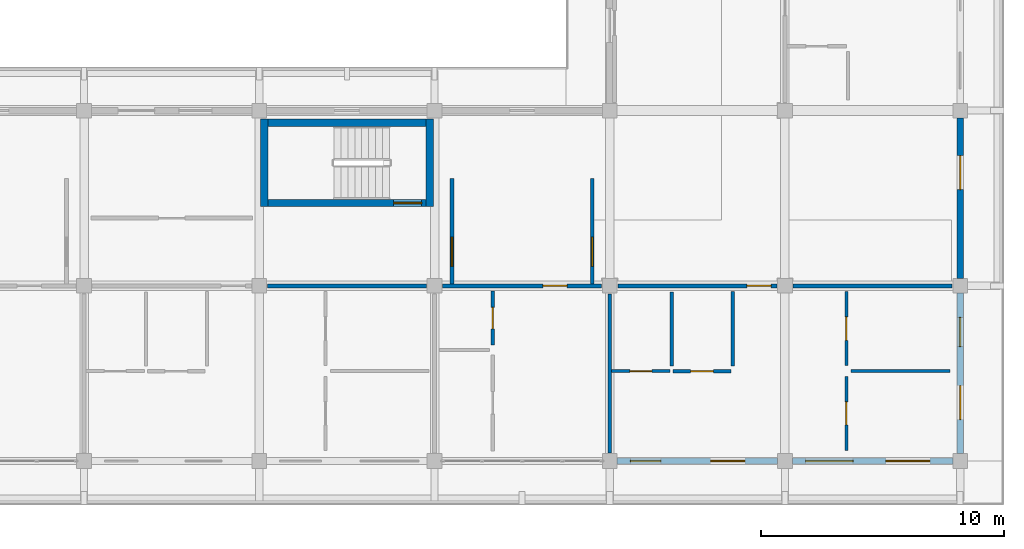
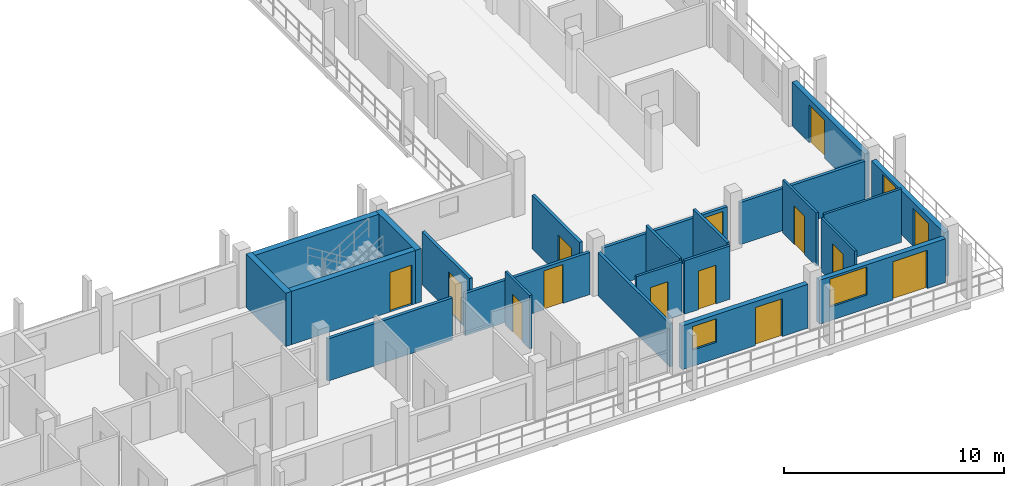
# One storey, part 54 of 78: 23 walls, 14 doors, 3 windows, 17 openings.
"""IFC4 building model written with IfcOpenShell, lengths in metres."""

from ifc_helpers import new_model, si_unit, direction, frame, frame_2d, origin, place, context, subcontext, project, spatial, rectangle, extrude, material, layer, layer_set, type_object, element, fill, save


model = new_model("IFC4")

# Units and contexts
model_context = context("Model", 3, precision=1e-05, world=origin(), true_north=direction((0.0, 1.0)))
body_context = subcontext(model_context, "Body", "Model", "MODEL_VIEW")
ifc_project = project(units=[si_unit("LENGTHUNIT", "METRE"), si_unit("AREAUNIT", "SQUARE_METRE"), si_unit("VOLUMEUNIT", "CUBIC_METRE"), si_unit("PLANEANGLEUNIT", "RADIAN"), si_unit("MASSUNIT", "GRAM", prefix="KILO")], contexts=[model_context])

# Site, building, storey
site_placement = place(None, origin())
site = spatial("IfcSite", under=ifc_project, at=site_placement, CompositionType="ELEMENT")
building_placement = place(site_placement, origin())
building = spatial("IfcBuilding", under=site, at=building_placement, Name="Suanplinth Sawtooth Commons", CompositionType="ELEMENT")
storey_placement = place(building_placement, frame((0.0, 0.0, 15.39990234375)))
storey = spatial("IfcBuildingStorey", under=building, at=storey_placement, Name="L04", CompositionType="ELEMENT", Elevation=15.39990234375)

# Wall, opening, door
ifc_material_1 = material(Name="Concrete C40/50", Category="concrete")
ifc_layer_1 = layer(ifc_material_1, 0.300048828125, Name="Standard RC stair and lift core wall 300mm")
ifc_layer_set_1 = layer_set([ifc_layer_1], Name="Concrete C40/50")
wall_type_1 = type_object("IfcWallType", Name="W-CR02", PredefinedType="SHEAR", material=ifc_layer_set_1)
wall_1_placement = place(storey_placement, frame((158.75, 10.60009765625, 0.0), z_axis=(0.0, 0.0, 1.0), x_axis=(1.0, 0.0, 0.0)))
wall_1 = element("IfcWall", 1, at=wall_1_placement, inside=storey, type_object=wall_type_1, Name="W-L04-C-C2-STS", PredefinedType="SHEAR", context=body_context, shape_type="SweptSolid", body=[
    extrude(rectangle(XDim=6.5, YDim=0.300048828125, at=frame_2d((3.25, 0.0))), origin(), (0.0, 0.0, 1.0), 2.9501953125),
])
opening_1_placement = place(wall_1_placement, frame((5.169921875, 0.0, 0.0)))
opening_1 = element("IfcOpeningElement", 2, at=opening_1_placement, cuts=wall_1, Name="Opening FD0336", PredefinedType="OPENING", context=body_context, shape_type="SweptSolid", body=[
    extrude(rectangle(XDim=1.14990234375, YDim=2.199951171875, at=frame_2d((0.574951171875, 1.10009765625))), frame((0.0, 0.1650390625, 0.0), z_axis=(0.0, -1.0, 0.0), x_axis=(1.0, 0.0, 0.0)), (0.0, 0.0, 1.0), 0.329833984375),
])
ifc_material_2 = material(Name="Teak hardwood fire-rated door assembly", Category="wood")
door_type_1 = type_object("IfcDoorType", Name="FD-01", OperationType="NOTDEFINED", PredefinedType="DOOR", material=ifc_material_2)
door_1_placement = place(opening_1_placement, origin())
door_1 = element("IfcDoor", 3, at=door_1_placement, inside=storey, type_object=door_type_1, Name="Exit Stair Fire Door FD0336", OperationType="SINGLE_SWING_LEFT", OverallHeight=2.199951171875, OverallWidth=1.14990234375, PredefinedType="DOOR", context=body_context, shape_type="SweptSolid", body=[
    extrude(rectangle(XDim=1.14990234375, YDim=2.199951171875, at=frame_2d((0.574951171875, 1.10009765625))), frame((0.0, 0.02490234375, 0.0), z_axis=(0.0, -1.0, 0.0), x_axis=(1.0, 0.0, 0.0)), (0.0, 0.0, 1.0), 0.050048828125),
])
fill(opening_1, door_1)

# Walls
wall_2_placement = place(storey_placement, frame((158.75, 13.89990234375, 0.0), z_axis=(0.0, 0.0, 1.0), x_axis=(1.0, 0.0, 0.0)))
element("IfcWall", 4, at=wall_2_placement, inside=storey, type_object=wall_type_1, Name="W-L04-C-C2-STN", PredefinedType="SHEAR", context=body_context, shape_type="SweptSolid", body=[
    extrude(rectangle(XDim=6.5, YDim=0.300048828125, at=frame_2d((3.25, 0.0))), origin(), (0.0, 0.0, 1.0), 2.9501953125),
])
for number, where, z_axis, x_axis, name in (
    (5, (158.60009765625, 10.449951171875, 0.0), (0.0, 0.0, 1.0), (0.0, 1.0, 0.0), "W-L04-C-C2-STW"),
    (6, (165.39990234375, 10.449951171875, 0.0), (0.0, 0.0, 1.0), (0.0, 1.0, 0.0), "W-L04-C-C2-STE"),
):
    element("IfcWall", number, at=place(storey_placement, frame(where, z_axis=z_axis, x_axis=x_axis)), inside=storey, type_object=wall_type_1, Name=name, PredefinedType="SHEAR", context=body_context, shape_type="SweptSolid", body=[
        extrude(rectangle(XDim=3.60009765625, YDim=0.300048828125, at=frame_2d((1.800048828125, 0.0))), origin(), (0.0, 0.0, 1.0), 2.9501953125),
    ])

# Wall, openings, door, window
ifc_material_3 = material(Name="Precast concrete C40/50", Category="concrete")
ifc_layer_2 = layer(ifc_material_3, 0.260009765625, Name="Insulated precast courtyard facade wall 260mm")
ifc_layer_set_2 = layer_set([ifc_layer_2], Name="Precast concrete C40/50")
wall_type_2 = type_object("IfcWallType", Name="W-EX02", PredefinedType="ELEMENTEDWALL", material=ifc_layer_set_2)
wall_3_placement = place(storey_placement, frame((173.10009765625, 0.0, 0.0), z_axis=(0.0, 0.0, 1.0), x_axis=(1.0, 0.0, 0.0)))
wall_3 = element("IfcWall", 7, at=wall_3_placement, inside=storey, type_object=wall_type_2, Name="Facade Wall W-L04-C-S-24-0", PredefinedType="ELEMENTEDWALL", context=body_context, shape_type="SweptSolid", body=[
    extrude(rectangle(XDim=6.599853515625, YDim=0.260009765625, at=frame_2d((3.2998046875, 0.0))), origin(), (0.0, 0.0, 1.0), 2.43017578125),
])
opening_2_placement = place(wall_3_placement, frame((3.85009765625, 0.0, 0.0)))
opening_2 = element("IfcOpeningElement", 8, at=opening_2_placement, cuts=wall_3, Name="Opening ED0366", PredefinedType="OPENING", context=body_context, shape_type="SweptSolid", body=[
    extrude(rectangle(XDim=1.39990234375, YDim=2.10009765625, at=frame_2d((0.699951171875, 1.050048828125))), frame((0.0, 0.14501953125, 0.0), z_axis=(0.0, -1.0, 0.0), x_axis=(1.0, 0.0, 0.0)), (0.0, 0.0, 1.0), 0.289794921875),
])
opening_3_placement = place(wall_3_placement, frame((0.550048828125, 0.0, 0.89990234375)))
opening_3 = element("IfcOpeningElement", 9, at=opening_3_placement, cuts=wall_3, Name="Opening W0468", PredefinedType="OPENING", context=body_context, shape_type="SweptSolid", body=[
    extrude(rectangle(XDim=1.25, YDim=1.300048828125, at=frame_2d((0.625, 0.64990234375))), frame((0.0, 0.14501953125, 0.0), z_axis=(0.0, -1.0, 0.0), x_axis=(1.0, 0.0, 0.0)), (0.0, 0.0, 1.0), 0.289794921875),
])
ifc_material_4 = material(Name="Anodized aluminium and low-E glass", Category="aluminium")
door_type_2 = type_object("IfcDoorType", Name="SD-07", OperationType="SLIDING_TO_RIGHT", PredefinedType="DOOR", material=ifc_material_4)
door_2_placement = place(opening_2_placement, frame((1.39990234375, 0.0, 0.0), z_axis=(0.0, 0.0, 1.0), x_axis=(-1.0, 0.0, 0.0)))
door_2 = element("IfcDoor", 10, at=door_2_placement, inside=storey, type_object=door_type_2, Name="Balcony Sliding Door L04-C-24", OperationType="SLIDING_TO_RIGHT", OverallHeight=2.10009765625, OverallWidth=1.39990234375, PredefinedType="DOOR", context=body_context, shape_type="SweptSolid", body=[
    extrude(rectangle(XDim=1.39990234375, YDim=2.10009765625, at=frame_2d((0.699951171875, 1.050048828125))), frame((0.0, 0.02490234375, 0.0), z_axis=(0.0, -1.0, 0.0), x_axis=(1.0, 0.0, 0.0)), (0.0, 0.0, 1.0), 0.050048828125),
])
fill(opening_2, door_2)
ifc_material_5 = material(Name="Thermally broken aluminium and low-E double glazing", Category="aluminium")
window_type_1 = type_object("IfcWindowType", Name="WN-17", PartitioningType="SINGLE_PANEL", PredefinedType="WINDOW", material=ifc_material_5)
window_1_placement = place(opening_3_placement, origin())
window_1 = element("IfcWindow", 11, at=window_1_placement, inside=storey, type_object=window_type_1, Name="Apartment Window L04-C-24", OverallHeight=1.300048828125, OverallWidth=1.25, PartitioningType="SINGLE_PANEL", PredefinedType="WINDOW", context=body_context, shape_type="SweptSolid", body=[
    extrude(rectangle(XDim=1.25, YDim=1.300048828125, at=frame_2d((0.625, 0.64990234375))), frame((0.0, 0.030029296875, 0.0), z_axis=(0.0, -1.0, 0.0), x_axis=(1.0, 0.0, 0.0)), (0.0, 0.0, 1.0), 0.06005859375),
])
fill(opening_3, window_1)

wall_4_placement = place(storey_placement, frame((180.300048828125, 0.0, 0.0), z_axis=(0.0, 0.0, 1.0), x_axis=(1.0, 0.0, 0.0)))
wall_4 = element("IfcWall", 12, at=wall_4_placement, inside=storey, type_object=wall_type_2, Name="Facade Wall W-L04-C-S-25-0", PredefinedType="ELEMENTEDWALL", context=body_context, shape_type="SweptSolid", body=[
    extrude(rectangle(XDim=6.599853515625, YDim=0.260009765625, at=frame_2d((3.2998046875, 0.0))), origin(), (0.0, 0.0, 1.0), 2.43017578125),
])
opening_4_placement = place(wall_4_placement, frame((3.85009765625, 0.0, 0.0)))
opening_4 = element("IfcOpeningElement", 13, at=opening_4_placement, cuts=wall_4, Name="Opening ED0371", PredefinedType="OPENING", context=body_context, shape_type="SweptSolid", body=[
    extrude(rectangle(XDim=1.800048828125, YDim=2.1201171875, at=frame_2d((0.89990234375, 1.06005859375))), frame((0.0, 0.14501953125, 0.0), z_axis=(0.0, -1.0, 0.0), x_axis=(1.0, 0.0, 0.0)), (0.0, 0.0, 1.0), 0.289794921875),
])
opening_5_placement = place(wall_4_placement, frame((0.550048828125, 0.0, 0.760009765625)))
opening_5 = element("IfcOpeningElement", 14, at=opening_5_placement, cuts=wall_4, Name="Opening W0470", PredefinedType="OPENING", context=body_context, shape_type="SweptSolid", body=[
    extrude(rectangle(XDim=1.949951171875, YDim=1.550048828125, at=frame_2d((0.97509765625, 0.77490234375))), frame((0.0, 0.14501953125, 0.0), z_axis=(0.0, -1.0, 0.0), x_axis=(1.0, 0.0, 0.0)), (0.0, 0.0, 1.0), 0.289794921875),
])
door_type_3 = type_object("IfcDoorType", Name="SD-01", OperationType="SLIDING_TO_LEFT", PredefinedType="DOOR", material=ifc_material_4)
door_3_placement = place(opening_4_placement, frame((1.800048828125, 0.0, 0.0), z_axis=(0.0, 0.0, 1.0), x_axis=(-1.0, 0.0, 0.0)))
door_3 = element("IfcDoor", 15, at=door_3_placement, inside=storey, type_object=door_type_3, Name="Balcony Sliding Door L04-C-25", OperationType="SLIDING_TO_LEFT", OverallHeight=2.1201171875, OverallWidth=1.800048828125, PredefinedType="DOOR", context=body_context, shape_type="SweptSolid", body=[
    extrude(rectangle(XDim=1.800048828125, YDim=2.1201171875, at=frame_2d((0.89990234375, 1.06005859375))), frame((0.0, 0.02490234375, 0.0), z_axis=(0.0, -1.0, 0.0), x_axis=(1.0, 0.0, 0.0)), (0.0, 0.0, 1.0), 0.050048828125),
])
fill(opening_4, door_3)
window_type_2 = type_object("IfcWindowType", Name="WN-18", PartitioningType="DOUBLE_PANEL_VERTICAL", PredefinedType="WINDOW", material=ifc_material_5)
window_2_placement = place(opening_5_placement, origin())
window_2 = element("IfcWindow", 16, at=window_2_placement, inside=storey, type_object=window_type_2, Name="Apartment Window L04-C-25", OverallHeight=1.550048828125, OverallWidth=1.949951171875, PartitioningType="DOUBLE_PANEL_VERTICAL", PredefinedType="WINDOW", context=body_context, shape_type="SweptSolid", body=[
    extrude(rectangle(XDim=1.949951171875, YDim=1.550048828125, at=frame_2d((0.97509765625, 0.77490234375))), frame((0.0, 0.030029296875, 0.0), z_axis=(0.0, -1.0, 0.0), x_axis=(1.0, 0.0, 0.0)), (0.0, 0.0, 1.0), 0.06005859375),
])
fill(opening_5, window_2)

wall_5_placement = place(storey_placement, frame((187.199951171875, 0.300048828125, 0.0), z_axis=(0.0, 0.0, 1.0), x_axis=(0.0, 1.0, 0.0)))
wall_5 = element("IfcWall", 17, at=wall_5_placement, inside=storey, type_object=wall_type_2, Name="Facade Wall W-L04-C-E-25-0", PredefinedType="ELEMENTEDWALL", context=body_context, shape_type="SweptSolid", body=[
    extrude(rectangle(XDim=6.599853515625, YDim=0.260009765625, at=frame_2d((3.2998046875, 0.0))), origin(), (0.0, 0.0, 1.0), 2.43017578125),
])
opening_6_placement = place(wall_5_placement, frame((1.39990234375, 0.0, 0.0)))
opening_6 = element("IfcOpeningElement", 18, at=opening_6_placement, cuts=wall_5, Name="Opening ED0372", PredefinedType="OPENING", context=body_context, shape_type="SweptSolid", body=[
    extrude(rectangle(XDim=1.39990234375, YDim=2.10009765625, at=frame_2d((0.699951171875, 1.050048828125))), frame((0.0, 0.14501953125, 0.0), z_axis=(0.0, -1.0, 0.0), x_axis=(1.0, 0.0, 0.0)), (0.0, 0.0, 1.0), 0.289794921875),
])
opening_7_placement = place(wall_5_placement, frame((4.39990234375, 0.0, 0.949951171875)))
opening_7 = element("IfcOpeningElement", 19, at=opening_7_placement, cuts=wall_5, Name="Opening W0471", PredefinedType="OPENING", context=body_context, shape_type="SweptSolid", body=[
    extrude(rectangle(XDim=1.199951171875, YDim=1.35009765625, at=frame_2d((0.60009765625, 0.675048828125))), frame((0.0, 0.14501953125, 0.0), z_axis=(0.0, -1.0, 0.0), x_axis=(1.0, 0.0, 0.0)), (0.0, 0.0, 1.0), 0.289794921875),
])
door_4_placement = place(opening_6_placement, frame((1.39990234375, 0.0, 0.0), z_axis=(0.0, 0.0, 1.0), x_axis=(-1.0, 0.0, 0.0)))
door_4 = element("IfcDoor", 20, at=door_4_placement, inside=storey, type_object=door_type_2, Name="End Balcony Sliding Door L04-C-E-25-0", OperationType="SLIDING_TO_RIGHT", OverallHeight=2.10009765625, OverallWidth=1.39990234375, PredefinedType="DOOR", context=body_context, shape_type="SweptSolid", body=[
    extrude(rectangle(XDim=1.39990234375, YDim=2.10009765625, at=frame_2d((0.699951171875, 1.050048828125))), frame((0.0, 0.02490234375, 0.0), z_axis=(0.0, -1.0, 0.0), x_axis=(1.0, 0.0, 0.0)), (0.0, 0.0, 1.0), 0.050048828125),
])
fill(opening_6, door_4)
window_type_3 = type_object("IfcWindowType", Name="WN-03", PartitioningType="SINGLE_PANEL", PredefinedType="WINDOW", material=ifc_material_5)
window_3_placement = place(opening_7_placement, origin())
window_3 = element("IfcWindow", 21, at=window_3_placement, inside=storey, type_object=window_type_3, Name="End Bedroom Window L04-C-25-0", OverallHeight=1.35009765625, OverallWidth=1.199951171875, PartitioningType="SINGLE_PANEL", PredefinedType="WINDOW", context=body_context, shape_type="SweptSolid", body=[
    extrude(rectangle(XDim=1.199951171875, YDim=1.35009765625, at=frame_2d((0.60009765625, 0.675048828125))), frame((0.0, 0.030029296875, 0.0), z_axis=(0.0, -1.0, 0.0), x_axis=(1.0, 0.0, 0.0)), (0.0, 0.0, 1.0), 0.06005859375),
])
fill(opening_7, window_3)

# Wall, opening, door
wall_6_placement = place(storey_placement, frame((187.199951171875, 7.5, 0.0), z_axis=(0.0, 0.0, 1.0), x_axis=(0.0, 1.0, 0.0)))
wall_6 = element("IfcWall", 22, at=wall_6_placement, inside=storey, type_object=wall_type_2, Name="Facade Wall W-L04-C-E-25-1", PredefinedType="ELEMENTEDWALL", context=body_context, shape_type="SweptSolid", body=[
    extrude(rectangle(XDim=6.60009765625, YDim=0.260009765625, at=frame_2d((3.300048828125, 0.0))), origin(), (0.0, 0.0, 1.0), 2.43017578125),
])
opening_8_placement = place(wall_6_placement, frame((3.64990234375, 0.0, 0.0)))
opening_8 = element("IfcOpeningElement", 23, at=opening_8_placement, cuts=wall_6, Name="Opening ED0373", PredefinedType="OPENING", context=body_context, shape_type="SweptSolid", body=[
    extrude(rectangle(XDim=1.39990234375, YDim=2.10009765625, at=frame_2d((0.699951171875, 1.050048828125))), frame((0.0, 0.14501953125, 0.0), z_axis=(0.0, -1.0, 0.0), x_axis=(1.0, 0.0, 0.0)), (0.0, 0.0, 1.0), 0.289794921875),
])
door_5_placement = place(opening_8_placement, frame((1.39990234375, 0.0, 0.0), z_axis=(0.0, 0.0, 1.0), x_axis=(-1.0, 0.0, 0.0)))
door_5 = element("IfcDoor", 24, at=door_5_placement, inside=storey, type_object=door_type_2, Name="End Balcony Sliding Door L04-C-E-25-1", OperationType="SLIDING_TO_RIGHT", OverallHeight=2.10009765625, OverallWidth=1.39990234375, PredefinedType="DOOR", context=body_context, shape_type="SweptSolid", body=[
    extrude(rectangle(XDim=1.39990234375, YDim=2.10009765625, at=frame_2d((0.699951171875, 1.050048828125))), frame((0.0, 0.02490234375, 0.0), z_axis=(0.0, -1.0, 0.0), x_axis=(1.0, 0.0, 0.0)), (0.0, 0.0, 1.0), 0.050048828125),
])
fill(opening_8, door_5)

ifc_layer_3 = layer(ifc_material_3, 0.159912109375, Name="Fire-rated corridor and lobby wall 160mm")
ifc_layer_set_3 = layer_set([ifc_layer_3], Name="Precast concrete C40/50")
wall_type_3 = type_object("IfcWallType", Name="W-FW01", PredefinedType="PARTITIONING", material=ifc_layer_set_3)
wall_7_placement = place(storey_placement, frame((166.320068359375, 7.280029296875, 0.0), z_axis=(0.0, 0.0, 1.0), x_axis=(0.0, 1.0, 0.0)))
wall_7 = element("IfcWall", 25, at=wall_7_placement, inside=storey, type_object=wall_type_3, Name="W-L04-C-C2-LOB-W", PredefinedType="PARTITIONING", context=body_context, shape_type="SweptSolid", body=[
    extrude(rectangle(XDim=4.320068359375, YDim=0.159912109375, at=frame_2d((2.16015625, 0.0))), origin(), (0.0, 0.0, 1.0), 2.9501953125),
])
opening_9_placement = place(wall_7_placement, frame((0.719970703125, 0.0, 0.0)))
opening_9 = element("IfcOpeningElement", 26, at=opening_9_placement, cuts=wall_7, Name="Opening FD0337", PredefinedType="OPENING", context=body_context, shape_type="SweptSolid", body=[
    extrude(rectangle(XDim=1.199951171875, YDim=2.199951171875, at=frame_2d((0.60009765625, 1.10009765625))), frame((0.0, 0.0947265625, 0.0), z_axis=(0.0, -1.0, 0.0), x_axis=(1.0, 0.0, 0.0)), (0.0, 0.0, 1.0), 0.189697265625),
])
door_type_4 = type_object("IfcDoorType", Name="FD-02", OperationType="NOTDEFINED", PredefinedType="DOOR", material=ifc_material_2)
door_6_placement = place(opening_9_placement, origin())
door_6 = element("IfcDoor", 27, at=door_6_placement, inside=storey, type_object=door_type_4, Name="Lobby Fire Door FD0337", OperationType="SINGLE_SWING_RIGHT", OverallHeight=2.199951171875, OverallWidth=1.199951171875, PredefinedType="DOOR", context=body_context, shape_type="SweptSolid", body=[
    extrude(rectangle(XDim=1.199951171875, YDim=2.199951171875, at=frame_2d((0.60009765625, 1.10009765625))), frame((0.0, 0.02490234375, 0.0), z_axis=(0.0, -1.0, 0.0), x_axis=(1.0, 0.0, 0.0)), (0.0, 0.0, 1.0), 0.050048828125),
])
fill(opening_9, door_6)

wall_8_placement = place(storey_placement, frame((172.080078125, 7.280029296875, 0.0), z_axis=(0.0, 0.0, 1.0), x_axis=(0.0, 1.0, 0.0)))
wall_8 = element("IfcWall", 28, at=wall_8_placement, inside=storey, type_object=wall_type_3, Name="W-L04-C-C2-LOB-E", PredefinedType="PARTITIONING", context=body_context, shape_type="SweptSolid", body=[
    extrude(rectangle(XDim=4.320068359375, YDim=0.159912109375, at=frame_2d((2.16015625, 0.0))), origin(), (0.0, 0.0, 1.0), 2.9501953125),
])
opening_10_placement = place(wall_8_placement, frame((0.719970703125, 0.0, 0.0)))
opening_10 = element("IfcOpeningElement", 29, at=opening_10_placement, cuts=wall_8, Name="Opening FD0338", PredefinedType="OPENING", context=body_context, shape_type="SweptSolid", body=[
    extrude(rectangle(XDim=1.199951171875, YDim=2.199951171875, at=frame_2d((0.60009765625, 1.10009765625))), frame((0.0, 0.0947265625, 0.0), z_axis=(0.0, -1.0, 0.0), x_axis=(1.0, 0.0, 0.0)), (0.0, 0.0, 1.0), 0.189697265625),
])
door_7_placement = place(opening_10_placement, frame((1.199951171875, 0.0, 0.0), z_axis=(0.0, 0.0, 1.0), x_axis=(-1.0, 0.0, 0.0)))
door_7 = element("IfcDoor", 30, at=door_7_placement, inside=storey, type_object=door_type_4, Name="Lobby Fire Door FD0338", OperationType="SINGLE_SWING_LEFT", OverallHeight=2.199951171875, OverallWidth=1.199951171875, PredefinedType="DOOR", context=body_context, shape_type="SweptSolid", body=[
    extrude(rectangle(XDim=1.199951171875, YDim=2.199951171875, at=frame_2d((0.60009765625, 1.10009765625))), frame((0.0, 0.02490234375, 0.0), z_axis=(0.0, -1.0, 0.0), x_axis=(1.0, 0.0, 0.0)), (0.0, 0.0, 1.0), 0.050048828125),
])
fill(opening_10, door_7)

# Wall
wall_9_placement = place(storey_placement, frame((158.72998046875, 7.199951171875, 0.0), z_axis=(0.0, 0.0, 1.0), x_axis=(1.0, 0.0, 0.0)))
element("IfcWall", 31, at=wall_9_placement, inside=storey, type_object=wall_type_3, Name="W-C-L04-U04-COR-S2", PredefinedType="PARTITIONING", context=body_context, shape_type="SweptSolid", body=[
    extrude(rectangle(XDim=6.5400390625, YDim=0.159912109375, at=frame_2d((3.27001953125, 0.0))), origin(), (0.0, 0.0, 1.0), 2.335205078125),
])

# Wall, opening, door
wall_10_placement = place(storey_placement, frame((165.929931640625, 7.199951171875, 0.0), z_axis=(0.0, 0.0, 1.0), x_axis=(1.0, 0.0, 0.0)))
wall_10 = element("IfcWall", 32, at=wall_10_placement, inside=storey, type_object=wall_type_3, Name="W-C-L04-U05-COR", PredefinedType="PARTITIONING", context=body_context, shape_type="SweptSolid", body=[
    extrude(rectangle(XDim=6.5400390625, YDim=0.159912109375, at=frame_2d((3.27001953125, 0.0))), origin(), (0.0, 0.0, 1.0), 2.335205078125),
])
opening_11_placement = place(wall_10_placement, frame((4.1201171875, 0.0, 0.0)))
opening_11 = element("IfcOpeningElement", 33, at=opening_11_placement, cuts=wall_10, Name="Opening FD1148", PredefinedType="OPENING", context=body_context, shape_type="SweptSolid", body=[
    extrude(rectangle(XDim=1.0, YDim=2.14990234375, at=frame_2d((0.5, 1.074951171875))), frame((0.0, 0.0947265625, 0.0), z_axis=(0.0, -1.0, 0.0), x_axis=(1.0, 0.0, 0.0)), (0.0, 0.0, 1.0), 0.189697265625),
])
door_type_5 = type_object("IfcDoorType", Name="FD-03", OperationType="NOTDEFINED", PredefinedType="DOOR", material=ifc_material_2)
door_8_placement = place(opening_11_placement, frame((1.0, 0.0, 0.0), z_axis=(0.0, 0.0, 1.0), x_axis=(-1.0, 0.0, 0.0)))
door_8 = element("IfcDoor", 34, at=door_8_placement, inside=storey, type_object=door_type_5, Name="Unit Entrance Door FD1148", OperationType="SINGLE_SWING_RIGHT", OverallHeight=2.14990234375, OverallWidth=1.0, PredefinedType="DOOR", context=body_context, shape_type="SweptSolid", body=[
    extrude(rectangle(XDim=1.0, YDim=2.14990234375, at=frame_2d((0.5, 1.074951171875))), frame((0.0, 0.02490234375, 0.0), z_axis=(0.0, -1.0, 0.0), x_axis=(1.0, 0.0, 0.0)), (0.0, 0.0, 1.0), 0.050048828125),
])
fill(opening_11, door_8)

wall_11_placement = place(storey_placement, frame((173.1298828125, 7.199951171875, 0.0), z_axis=(0.0, 0.0, 1.0), x_axis=(1.0, 0.0, 0.0)))
wall_11 = element("IfcWall", 35, at=wall_11_placement, inside=storey, type_object=wall_type_3, Name="W-C-L04-U06-COR-S1", PredefinedType="PARTITIONING", context=body_context, shape_type="SweptSolid", body=[
    extrude(rectangle(XDim=6.5400390625, YDim=0.159912109375, at=frame_2d((3.27001953125, 0.0))), origin(), (0.0, 0.0, 1.0), 2.335205078125),
])
opening_12_placement = place(wall_11_placement, frame((5.300048828125, 0.0, 0.0)))
opening_12 = element("IfcOpeningElement", 36, at=opening_12_placement, cuts=wall_11, Name="Opening FD1151", PredefinedType="OPENING", context=body_context, shape_type="SweptSolid", body=[
    extrude(rectangle(XDim=1.0, YDim=2.14990234375, at=frame_2d((0.5, 1.074951171875))), frame((0.0, 0.0947265625, 0.0), z_axis=(0.0, -1.0, 0.0), x_axis=(1.0, 0.0, 0.0)), (0.0, 0.0, 1.0), 0.189697265625),
])
door_9_placement = place(opening_12_placement, frame((1.0, 0.0, 0.0), z_axis=(0.0, 0.0, 1.0), x_axis=(-1.0, 0.0, 0.0)))
door_9 = element("IfcDoor", 37, at=door_9_placement, inside=storey, type_object=door_type_5, Name="Unit Entrance Door FD1151", OperationType="SINGLE_SWING_LEFT", OverallHeight=2.14990234375, OverallWidth=1.0, PredefinedType="DOOR", context=body_context, shape_type="SweptSolid", body=[
    extrude(rectangle(XDim=1.0, YDim=2.14990234375, at=frame_2d((0.5, 1.074951171875))), frame((0.0, 0.02490234375, 0.0), z_axis=(0.0, -1.0, 0.0), x_axis=(1.0, 0.0, 0.0)), (0.0, 0.0, 1.0), 0.050048828125),
])
fill(opening_12, door_9)

# Walls
wall_12_placement = place(storey_placement, frame((180.330078125, 7.199951171875, 0.0), z_axis=(0.0, 0.0, 1.0), x_axis=(1.0, 0.0, 0.0)))
element("IfcWall", 38, at=wall_12_placement, inside=storey, type_object=wall_type_3, Name="W-C-L04-U06-COR-S2", PredefinedType="PARTITIONING", context=body_context, shape_type="SweptSolid", body=[
    extrude(rectangle(XDim=6.5400390625, YDim=0.159912109375, at=frame_2d((3.27001953125, 0.0))), origin(), (0.0, 0.0, 1.0), 2.335205078125),
])
ifc_layer_4 = layer(ifc_material_3, 0.14990234375, Name="Acoustic precast party demising wall 150mm")
ifc_layer_set_4 = layer_set([ifc_layer_4], Name="Precast concrete C40/50")
wall_type_4 = type_object("IfcWallType", Name="W-FW02", PredefinedType="PARTITIONING", material=ifc_layer_set_4)
wall_13_placement = place(storey_placement, frame((172.800048828125, 0.330078125, 0.0), z_axis=(0.0, 0.0, 1.0), x_axis=(0.0, 1.0, 0.0)))
element("IfcWall", 39, at=wall_13_placement, inside=storey, type_object=wall_type_4, Name="W-C-L04-U05-PTY", PredefinedType="PARTITIONING", context=body_context, shape_type="SweptSolid", body=[
    extrude(rectangle(XDim=6.5400390625, YDim=0.14990234375, at=frame_2d((3.27001953125, 0.0))), origin(), (0.0, 0.0, 1.0), 2.385009765625),
])

# Wall, opening, door
ifc_material_6 = material(Name="Gypsum plasterboard on steel stud", Category="steel")
ifc_layer_5 = layer(ifc_material_6, 0.139892578125, Name="Fire-rated kitchen partition 140mm")
ifc_layer_set_5 = layer_set([ifc_layer_5], Name="Gypsum plasterboard on steel stud")
wall_type_5 = type_object("IfcWallType", Name="W-PT01", PredefinedType="PARTITIONING", material=ifc_layer_set_5)
wall_14_placement = place(storey_placement, frame((175.39990234375, 3.68994140625, 0.0), z_axis=(0.0, 0.0, 1.0), x_axis=(1.0, 0.0, 0.0)))
wall_14 = element("IfcWall", 40, at=wall_14_placement, inside=storey, type_object=wall_type_5, Name="W-C-L04-U06-KIT1", PredefinedType="PARTITIONING", context=body_context, shape_type="SweptSolid", body=[
    extrude(rectangle(XDim=2.380126953125, YDim=0.139892578125, at=frame_2d((1.18994140625, 0.0))), origin(), (0.0, 0.0, 1.0), 2.9501953125),
])
opening_13_placement = place(wall_14_placement, frame((0.72509765625, 0.0, 0.0)))
opening_13 = element("IfcOpeningElement", 41, at=opening_13_placement, cuts=wall_14, Name="Opening D1153", PredefinedType="OPENING", context=body_context, shape_type="SweptSolid", body=[
    extrude(rectangle(XDim=0.929931640625, YDim=2.139892578125, at=frame_2d((0.46484375, 1.06982421875))), frame((0.0, 0.0849609375, 0.0), z_axis=(0.0, -1.0, 0.0), x_axis=(1.0, 0.0, 0.0)), (0.0, 0.0, 1.0), 0.169677734375),
])
ifc_material_7 = material(Name="Teak hardwood", Category="wood")
door_type_6 = type_object("IfcDoorType", Name="D-19", OperationType="NOTDEFINED", PredefinedType="DOOR", material=ifc_material_7)
door_10_placement = place(opening_13_placement, origin())
door_10 = element("IfcDoor", 42, at=door_10_placement, inside=storey, type_object=door_type_6, Name="Kitchen Door D1153", OperationType="SINGLE_SWING_LEFT", OverallHeight=2.139892578125, OverallWidth=0.929931640625, PredefinedType="DOOR", context=body_context, shape_type="SweptSolid", body=[
    extrude(rectangle(XDim=0.929931640625, YDim=2.139892578125, at=frame_2d((0.46484375, 1.06982421875))), frame((0.0, 0.02490234375, 0.0), z_axis=(0.0, -1.0, 0.0), x_axis=(1.0, 0.0, 0.0)), (0.0, 0.0, 1.0), 0.050048828125),
])
fill(opening_13, door_10)

# Wall
wall_15_placement = place(storey_placement, frame((177.85009765625, 3.909912109375, 0.0), z_axis=(0.0, 0.0, 1.0), x_axis=(0.0, 1.0, 0.0)))
element("IfcWall", 43, at=wall_15_placement, inside=storey, type_object=wall_type_5, Name="W-C-L04-U06-KIT2", PredefinedType="PARTITIONING", context=body_context, shape_type="SweptSolid", body=[
    extrude(rectangle(XDim=3.06005859375, YDim=0.139892578125, at=frame_2d((1.530029296875, 0.0))), origin(), (0.0, 0.0, 1.0), 2.9501953125),
])

# Wall, opening, door
ifc_layer_6 = layer(ifc_material_6, 0.1298828125, Name="Moisture-resistant bathroom partition 130mm")
ifc_layer_set_6 = layer_set([ifc_layer_6], Name="Gypsum plasterboard on steel stud")
wall_type_6 = type_object("IfcWallType", Name="W-PT02", PredefinedType="PARTITIONING", material=ifc_layer_set_6)
wall_16_placement = place(storey_placement, frame((167.9951171875, 4.760009765625, 0.0), z_axis=(0.0, 0.0, 1.0), x_axis=(0.0, 1.0, 0.0)))
wall_16 = element("IfcWall", 44, at=wall_16_placement, inside=storey, type_object=wall_type_6, Name="W-C-L04-U05-BTHE", PredefinedType="PARTITIONING", context=body_context, shape_type="SweptSolid", body=[
    extrude(rectangle(XDim=2.219970703125, YDim=0.1298828125, at=frame_2d((1.10986328125, 0.0))), origin(), (0.0, 0.0, 1.0), 2.9501953125),
])
opening_14_placement = place(wall_16_placement, frame((0.669921875, 0.0, 0.0)))
opening_14 = element("IfcOpeningElement", 45, at=opening_14_placement, cuts=wall_16, Name="Opening D1149", PredefinedType="OPENING", context=body_context, shape_type="SweptSolid", body=[
    extrude(rectangle(XDim=0.8798828125, YDim=2.10009765625, at=frame_2d((0.43994140625, 1.050048828125))), frame((0.0, 0.079833984375, 0.0), z_axis=(0.0, -1.0, 0.0), x_axis=(1.0, 0.0, 0.0)), (0.0, 0.0, 1.0), 0.15966796875),
])
door_type_7 = type_object("IfcDoorType", Name="D-14", OperationType="NOTDEFINED", PredefinedType="DOOR", material=ifc_material_7)
door_11_placement = place(opening_14_placement, origin())
door_11 = element("IfcDoor", 46, at=door_11_placement, inside=storey, type_object=door_type_7, Name="Bathroom Door D1149", OperationType="SINGLE_SWING_LEFT", OverallHeight=2.10009765625, OverallWidth=0.8798828125, PredefinedType="DOOR", context=body_context, shape_type="SweptSolid", body=[
    extrude(rectangle(XDim=0.8798828125, YDim=2.10009765625, at=frame_2d((0.43994140625, 1.050048828125))), frame((0.0, 0.02490234375, 0.0), z_axis=(0.0, -1.0, 0.0), x_axis=(1.0, 0.0, 0.0)), (0.0, 0.0, 1.0), 0.050048828125),
])
fill(opening_14, door_11)

wall_17_placement = place(storey_placement, frame((172.8798828125, 3.695068359375, 0.0), z_axis=(0.0, 0.0, 1.0), x_axis=(1.0, 0.0, 0.0)))
wall_17 = element("IfcWall", 47, at=wall_17_placement, inside=storey, type_object=wall_type_6, Name="W-C-L04-U06-BTH1", PredefinedType="PARTITIONING", context=body_context, shape_type="SweptSolid", body=[
    extrude(rectangle(XDim=2.400146484375, YDim=0.1298828125, at=frame_2d((1.2001953125, 0.0))), origin(), (0.0, 0.0, 1.0), 2.9501953125),
])
opening_15_placement = place(wall_17_placement, frame((0.75, 0.0, 0.0)))
opening_15 = element("IfcOpeningElement", 48, at=opening_15_placement, cuts=wall_17, Name="Opening D1152", PredefinedType="OPENING", context=body_context, shape_type="SweptSolid", body=[
    extrude(rectangle(XDim=0.89990234375, YDim=2.10009765625, at=frame_2d((0.449951171875, 1.050048828125))), frame((0.0, 0.079833984375, 0.0), z_axis=(0.0, -1.0, 0.0), x_axis=(1.0, 0.0, 0.0)), (0.0, 0.0, 1.0), 0.15966796875),
])
door_type_8 = type_object("IfcDoorType", Name="D-01", OperationType="NOTDEFINED", PredefinedType="DOOR", material=ifc_material_7)
door_12_placement = place(opening_15_placement, origin())
door_12 = element("IfcDoor", 49, at=door_12_placement, inside=storey, type_object=door_type_8, Name="Bathroom Door D1152", OperationType="SINGLE_SWING_RIGHT", OverallHeight=2.10009765625, OverallWidth=0.89990234375, PredefinedType="DOOR", context=body_context, shape_type="SweptSolid", body=[
    extrude(rectangle(XDim=0.89990234375, YDim=2.10009765625, at=frame_2d((0.449951171875, 1.050048828125))), frame((0.0, 0.02490234375, 0.0), z_axis=(0.0, -1.0, 0.0), x_axis=(1.0, 0.0, 0.0)), (0.0, 0.0, 1.0), 0.050048828125),
])
fill(opening_15, door_12)

# Wall
wall_18_placement = place(storey_placement, frame((175.344970703125, 3.89990234375, 0.0), z_axis=(0.0, 0.0, 1.0), x_axis=(0.0, 1.0, 0.0)))
element("IfcWall", 50, at=wall_18_placement, inside=storey, type_object=wall_type_6, Name="W-C-L04-U06-BTH2", PredefinedType="PARTITIONING", context=body_context, shape_type="SweptSolid", body=[
    extrude(rectangle(XDim=3.0400390625, YDim=0.1298828125, at=frame_2d((1.52001953125, 0.0))), origin(), (0.0, 0.0, 1.0), 2.9501953125),
])

# Wall, opening, door
ifc_layer_7 = layer(ifc_material_6, 0.1201171875, Name="Acoustic bedroom partition 120mm")
ifc_layer_set_7 = layer_set([ifc_layer_7], Name="Gypsum plasterboard on steel stud")
wall_type_7 = type_object("IfcWallType", Name="W-PT03", PredefinedType="PARTITIONING", material=ifc_layer_set_7)
wall_19_placement = place(storey_placement, frame((182.52001953125, 0.43994140625, 0.0), z_axis=(0.0, 0.0, 1.0), x_axis=(0.0, 1.0, 0.0)))
wall_19 = element("IfcWall", 51, at=wall_19_placement, inside=storey, type_object=wall_type_7, Name="W-C-L04-U06-BED1", PredefinedType="PARTITIONING", context=body_context, shape_type="SweptSolid", body=[
    extrude(rectangle(XDim=3.0400390625, YDim=0.1201171875, at=frame_2d((1.52001953125, 0.0))), origin(), (0.0, 0.0, 1.0), 2.9501953125),
])
opening_16_placement = place(wall_19_placement, frame((1.044921875, 0.0, 0.0)))
opening_16 = element("IfcOpeningElement", 52, at=opening_16_placement, cuts=wall_19, Name="Opening D1154", PredefinedType="OPENING", context=body_context, shape_type="SweptSolid", body=[
    extrude(rectangle(XDim=0.949951171875, YDim=2.14990234375, at=frame_2d((0.47509765625, 1.074951171875))), frame((0.0, 0.074951171875, 0.0), z_axis=(0.0, -1.0, 0.0), x_axis=(1.0, 0.0, 0.0)), (0.0, 0.0, 1.0), 0.14990234375),
])
door_type_9 = type_object("IfcDoorType", Name="D-03", OperationType="NOTDEFINED", PredefinedType="DOOR", material=ifc_material_7)
door_13_placement = place(opening_16_placement, frame((0.949951171875, 0.0, 0.0), z_axis=(0.0, 0.0, 1.0), x_axis=(-1.0, 0.0, 0.0)))
door_13 = element("IfcDoor", 53, at=door_13_placement, inside=storey, type_object=door_type_9, Name="Bedroom Door D1154", OperationType="SINGLE_SWING_RIGHT", OverallHeight=2.14990234375, OverallWidth=0.949951171875, PredefinedType="DOOR", context=body_context, shape_type="SweptSolid", body=[
    extrude(rectangle(XDim=0.949951171875, YDim=2.14990234375, at=frame_2d((0.47509765625, 1.074951171875))), frame((0.0, 0.02490234375, 0.0), z_axis=(0.0, -1.0, 0.0), x_axis=(1.0, 0.0, 0.0)), (0.0, 0.0, 1.0), 0.050048828125),
])
fill(opening_16, door_13)

wall_20_placement = place(storey_placement, frame((182.52001953125, 3.919921875, 0.0), z_axis=(0.0, 0.0, 1.0), x_axis=(0.0, 1.0, 0.0)))
wall_20 = element("IfcWall", 54, at=wall_20_placement, inside=storey, type_object=wall_type_7, Name="W-C-L04-U06-BED2", PredefinedType="PARTITIONING", context=body_context, shape_type="SweptSolid", body=[
    extrude(rectangle(XDim=3.0400390625, YDim=0.1201171875, at=frame_2d((1.52001953125, 0.0))), origin(), (0.0, 0.0, 1.0), 2.9501953125),
])
opening_17_placement = place(wall_20_placement, frame((1.0400390625, 0.0, 0.0)))
opening_17 = element("IfcOpeningElement", 55, at=opening_17_placement, cuts=wall_20, Name="Opening D1155", PredefinedType="OPENING", context=body_context, shape_type="SweptSolid", body=[
    extrude(rectangle(XDim=0.9599609375, YDim=2.14990234375, at=frame_2d((0.47998046875, 1.074951171875))), frame((0.0, 0.074951171875, 0.0), z_axis=(0.0, -1.0, 0.0), x_axis=(1.0, 0.0, 0.0)), (0.0, 0.0, 1.0), 0.14990234375),
])
door_type_10 = type_object("IfcDoorType", Name="D-13", OperationType="NOTDEFINED", PredefinedType="DOOR", material=ifc_material_7)
door_14_placement = place(opening_17_placement, frame((0.9599609375, 0.0, 0.0), z_axis=(0.0, 0.0, 1.0), x_axis=(-1.0, 0.0, 0.0)))
door_14 = element("IfcDoor", 56, at=door_14_placement, inside=storey, type_object=door_type_10, Name="Second Bedroom Door D1155", OperationType="SINGLE_SWING_LEFT", OverallHeight=2.14990234375, OverallWidth=0.9599609375, PredefinedType="DOOR", context=body_context, shape_type="SweptSolid", body=[
    extrude(rectangle(XDim=0.9599609375, YDim=2.14990234375, at=frame_2d((0.47998046875, 1.074951171875))), frame((0.0, 0.02490234375, 0.0), z_axis=(0.0, -1.0, 0.0), x_axis=(1.0, 0.0, 0.0)), (0.0, 0.0, 1.0), 0.050048828125),
])
fill(opening_17, door_14)

# Wall
ifc_layer_8 = layer(ifc_material_6, 0.125, Name="Acoustic study partition 125mm")
ifc_layer_set_8 = layer_set([ifc_layer_8], Name="Gypsum plasterboard on steel stud")
wall_type_8 = type_object("IfcWallType", Name="W-PT06", PredefinedType="PARTITIONING", material=ifc_layer_set_8)
wall_21_placement = place(storey_placement, frame((182.719970703125, 3.699951171875, 0.0), z_axis=(0.0, 0.0, 1.0), x_axis=(1.0, 0.0, 0.0)))
element("IfcWall", 57, at=wall_21_placement, inside=storey, type_object=wall_type_8, Name="W-C-L04-U06-BEDDIV", PredefinedType="PARTITIONING", context=body_context, shape_type="SweptSolid", body=[
    extrude(rectangle(XDim=4.06005859375, YDim=0.125, at=frame_2d((2.030029296875, 0.0))), origin(), (0.0, 0.0, 1.0), 2.9501953125),
])

save(model, "model.ifc")
